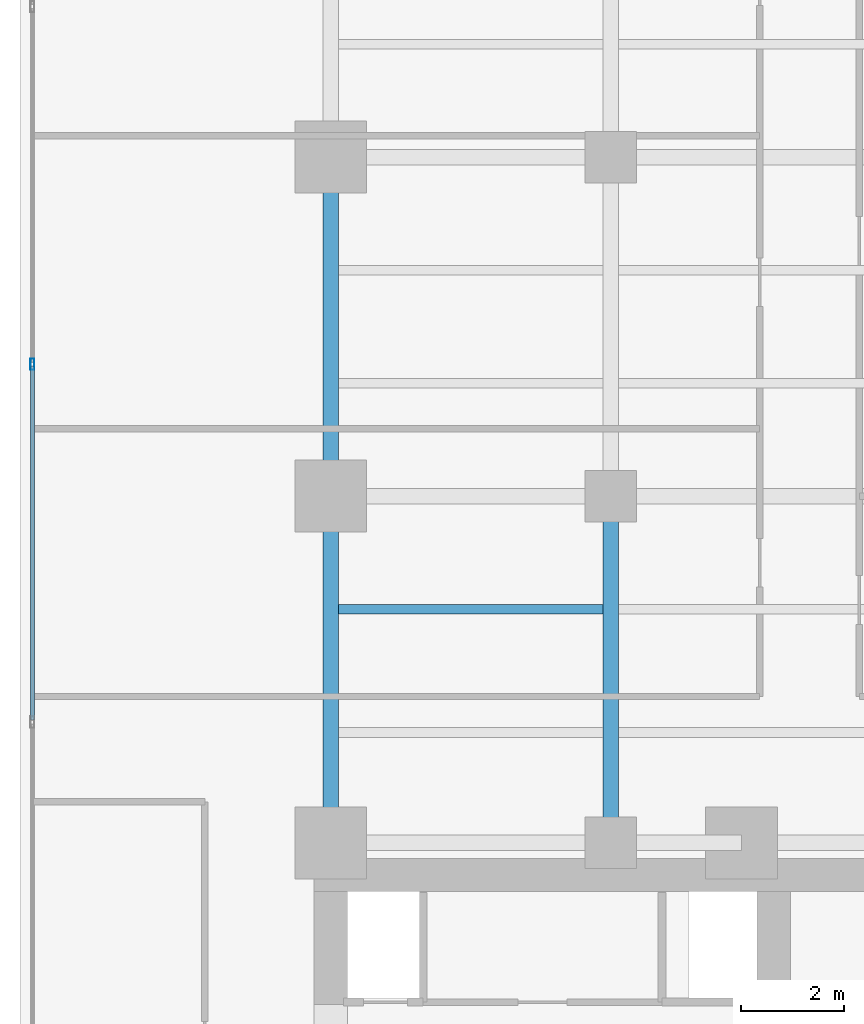
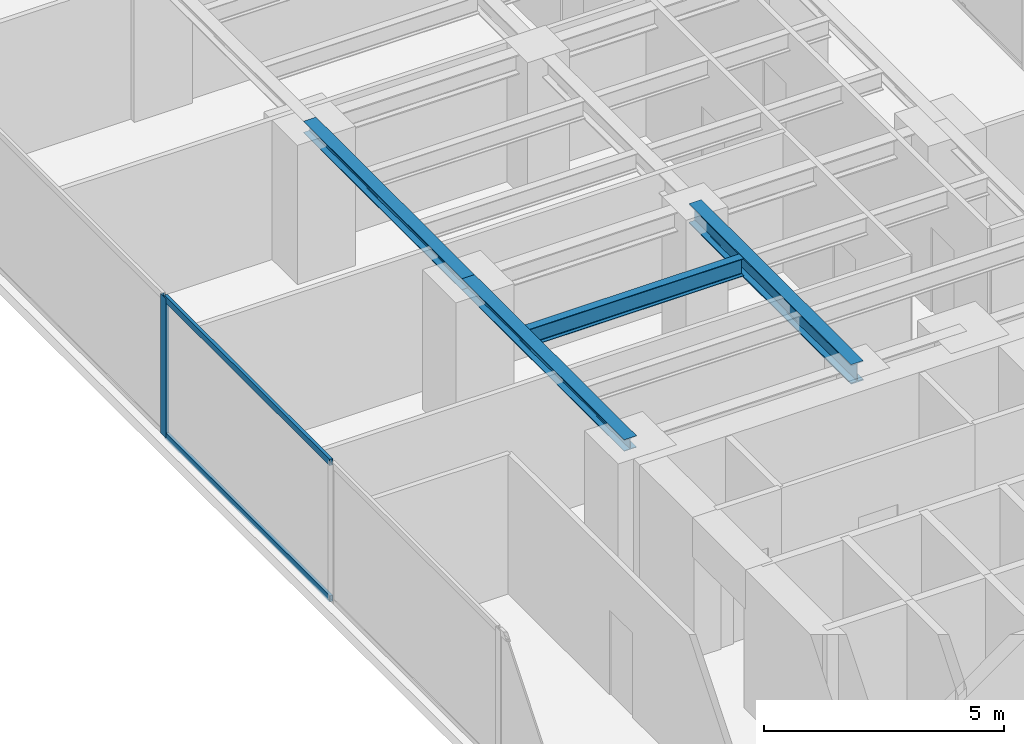
# One storey, part 7 of 24: 4 beams, 3 members, 1 element without a shape of its own.
"""IFC4 building model written with IfcOpenShell, lengths in metres."""

from ifc_helpers import new_model, si_unit, direction, frame, origin, origin_with_axes, origin_2d, place, context, subcontext, project, spatial, hollow_rectangle, i_section, extrude, source, transform, mapped, material, layer, layer_set, material_profile, profile_set, type_object, element, aggregate, save


model = new_model("IFC4")

# Units and contexts
model_context = context("Model", 3, precision=1e-05, world=origin(), true_north=direction((0.0, 1.0)))
body_context = subcontext(model_context, "Body", "Model", "MODEL_VIEW")
ifc_project = project(units=[si_unit("LENGTHUNIT", "METRE"), si_unit("AREAUNIT", "SQUARE_METRE"), si_unit("VOLUMEUNIT", "CUBIC_METRE"), si_unit("PLANEANGLEUNIT", "RADIAN"), si_unit("MASSUNIT", "GRAM", prefix="KILO")], contexts=[model_context])

# Site, building, storey
site_placement = place(None, origin())
site = spatial("IfcSite", under=ifc_project, at=site_placement, CompositionType="ELEMENT")
building_placement = place(site_placement, origin())
building = spatial("IfcBuilding", under=site, at=building_placement, Name="Kolvaren Waterfront Exchange", CompositionType="ELEMENT")
storey_placement = place(building_placement, frame((0.0, 0.0, 91.699951171875)))
storey = spatial("IfcBuildingStorey", under=building, at=storey_placement, Name="L23", CompositionType="ELEMENT", Elevation=91.699951171875)

# Beams
ifc_material_1 = material(Name="Steel S355", Category="steel")
ifc_material_profile_1 = material_profile(ifc_material_1, i_section(OverallWidth=0.300048828125, OverallDepth=0.300048828125, WebThickness=0.010986328125, FlangeThickness=0.01904296875, FilletRadius=0.027099609375, at=origin_2d()), Name="HEB300")
ifc_profile_set_1 = profile_set([ifc_material_profile_1], Name="Steel S355")
beam_type_1 = type_object("IfcBeamType", Name="STR-BM-HEB300", PredefinedType="SPANDREL", material=ifc_profile_set_1)
beam_1_placement = place(storey_placement, frame((7.449951171875, 24.449951171875, 3.39013671875), z_axis=(0.0, 1.0, 0.0), x_axis=(-1.0, 0.0, 0.0)))
element("IfcBeam", 1, at=beam_1_placement, inside=storey, type_object=beam_type_1, Name="L23 north-arm edge beam 1", PredefinedType="SPANDREL", context=body_context, shape_type="SweptSolid", body=[
    extrude(i_section(OverallWidth=0.300048828125, OverallDepth=0.300048828125, WebThickness=0.010986328125, FlangeThickness=0.01904296875, FilletRadius=0.027099609375, at=origin_2d()), origin(), (0.0, 0.0, 1.0), 6.75),
])
beam_2_placement = place(storey_placement, frame((7.449951171875, 31.199951171875, 3.39013671875), z_axis=(0.0, 1.0, 0.0), x_axis=(-1.0, 0.0, 0.0)))
element("IfcBeam", 2, at=beam_2_placement, inside=storey, type_object=beam_type_1, Name="L23 north-arm edge beam 2", PredefinedType="SPANDREL", context=body_context, shape_type="SweptSolid", body=[
    extrude(i_section(OverallWidth=0.300048828125, OverallDepth=0.300048828125, WebThickness=0.010986328125, FlangeThickness=0.01904296875, FilletRadius=0.027099609375, at=origin_2d()), origin(), (0.0, 0.0, 1.0), 6.60009765625),
])
ifc_material_profile_2 = material_profile(ifc_material_1, i_section(OverallWidth=0.300048828125, OverallDepth=0.5, WebThickness=0.014404296875, FlangeThickness=0.028076171875, FilletRadius=0.027099609375, at=origin_2d()), Name="HEB500")
ifc_profile_set_2 = profile_set([ifc_material_profile_2], Name="Steel S355")
beam_type_2 = type_object("IfcBeamType", Name="STR-BM-HEB500", PredefinedType="BEAM", material=ifc_profile_set_2)
beam_3_placement = place(storey_placement, frame((12.89990234375, 24.449951171875, 3.2900390625), z_axis=(0.0, 1.0, 0.0), x_axis=(-1.0, 0.0, 0.0)))
element("IfcBeam", 3, at=beam_3_placement, inside=storey, type_object=beam_type_2, Name="L23 north-arm edge beam 1", PredefinedType="BEAM", context=body_context, shape_type="SweptSolid", body=[
    extrude(i_section(OverallWidth=0.300048828125, OverallDepth=0.5, WebThickness=0.014404296875, FlangeThickness=0.028076171875, FilletRadius=0.027099609375, at=origin_2d()), origin(), (0.0, 0.0, 1.0), 6.75),
])
ifc_material_profile_3 = material_profile(ifc_material_1, i_section(OverallWidth=0.18994140625, OverallDepth=0.449951171875, WebThickness=0.009521484375, FlangeThickness=0.0146484375, FilletRadius=0.02099609375, at=origin_2d()), Name="IPE450")
ifc_profile_set_3 = profile_set([ifc_material_profile_3], Name="Steel S355")
beam_type_3 = type_object("IfcBeamType", Name="STR-BM-IPE450", PredefinedType="JOIST", material=ifc_profile_set_3)
beam_4_placement = place(storey_placement, frame((7.60205078125, 29.0, 3.31494140625), z_axis=(1.0, 0.0, 0.0), x_axis=(0.0, 1.0, 0.0)))
element("IfcBeam", 4, at=beam_4_placement, inside=storey, type_object=beam_type_3, Name="L23 north-arm composite joist 2A", PredefinedType="JOIST", context=body_context, shape_type="SweptSolid", body=[
    extrude(i_section(OverallWidth=0.18994140625, OverallDepth=0.449951171875, WebThickness=0.009521484375, FlangeThickness=0.0146484375, FilletRadius=0.02099609375, at=origin_2d()), origin(), (0.0, 0.0, 1.0), 5.14599609375),
])

# Curtain wall, members
ifc_material_2 = material(Name="Anodised aluminium 6063-T6", Category="aluminium")
ifc_layer = layer(ifc_material_2, 0.219970703125, Name="Anodised aluminium 6063-T6")
ifc_layer_set = layer_set([ifc_layer], Name="Anodised aluminium 6063-T6")
curtain_wall_type = type_object("IfcCurtainWallType", Name="ARC-CW-SYS2", PredefinedType="USERDEFINED", material=ifc_layer_set)
curtain_wall_placement = place(storey_placement, origin())
curtain_wall = element("IfcCurtainWall", 5, at=curtain_wall_placement, inside=storey, type_object=curtain_wall_type, Name="L23 stick curtain wall CW2 (CW-L23-W)", ObjectType="STICK CURTAIN WALL", PredefinedType="USERDEFINED")
ifc_material_profile_4 = material_profile(ifc_material_2, hollow_rectangle(XDim=0.080078125, YDim=0.219970703125, WallThickness=0.0048828125, at=origin_2d()), Name="ALU-MUL-220x80x5")
ifc_profile_set_4 = profile_set([ifc_material_profile_4], Name="Anodised aluminium 6063-T6")
member_type_1 = type_object("IfcMemberType", Name="ARC-CWM-220", PredefinedType="MULLION", material=ifc_profile_set_4)
shared_shape_1 = source(origin_with_axes(), body_context, "Body", "SweptSolid", [
    extrude(hollow_rectangle(XDim=0.080078125, YDim=0.219970703125, WallThickness=0.0048828125, at=origin_2d()), origin(), (0.0, 0.0, 1.0), 3.5400390625),
])
member_1_placement = place(storey_placement, frame((1.639892578125, 33.7666015625, 0.0), z_axis=(0.0, 0.0, 1.0), x_axis=(-1.0, 0.0, 0.0)))
member_1 = element("IfcMember", 6, at=member_1_placement, type_object=member_type_1, Name="CW2 mullion 5", PredefinedType="MULLION", context=body_context, shape_type="MappedRepresentation", body=[
    mapped(shared_shape_1, transform((0.0, 0.0, 0.0), x_axis=(1.0, 0.0, 0.0), y_axis=(0.0, 1.0, 0.0), z_axis=(0.0, 0.0, 1.0), scale=1.0)),
])
ifc_material_profile_5 = material_profile(ifc_material_2, hollow_rectangle(XDim=0.074951171875, YDim=0.159912109375, WallThickness=0.00439453125, at=origin_2d()), Name="ALU-TRN-160x75x4.5")
ifc_profile_set_5 = profile_set([ifc_material_profile_5], Name="Anodised aluminium 6063-T6")
member_type_2 = type_object("IfcMemberType", Name="ARC-CWT-160", PredefinedType="USERDEFINED", material=ifc_profile_set_5)
shared_shape_2 = source(origin_with_axes(), body_context, "Body", "SweptSolid", [
    extrude(hollow_rectangle(XDim=0.074951171875, YDim=0.159912109375, WallThickness=0.00439453125, at=origin_2d()), origin(), (0.0, 0.0, 1.0), 6.886474609375),
])
member_2_placement = place(storey_placement, frame((1.639892578125, 26.840087890625, 0.03759765625), z_axis=(0.0, 1.0, 0.0), x_axis=(-1.0, 0.0, 0.0)))
member_2 = element("IfcMember", 7, at=member_2_placement, type_object=member_type_2, Name="CW2 transom 4.1", ObjectType="TRANSOM", PredefinedType="USERDEFINED", context=body_context, shape_type="MappedRepresentation", body=[
    mapped(shared_shape_2, transform((0.0, 0.0, 0.0), x_axis=(1.0, 0.0, 0.0), y_axis=(0.0, 1.0, 0.0), z_axis=(0.0, 0.0, 1.0), scale=1.0)),
])
member_3_placement = place(storey_placement, frame((1.639892578125, 26.840087890625, 3.50244140625), z_axis=(0.0, 1.0, 0.0), x_axis=(-1.0, 0.0, 0.0)))
member_3 = element("IfcMember", 8, at=member_3_placement, type_object=member_type_2, Name="CW2 transom 4.2", ObjectType="TRANSOM", PredefinedType="USERDEFINED", context=body_context, shape_type="MappedRepresentation", body=[
    mapped(shared_shape_2, transform((0.0, 0.0, 0.0), x_axis=(1.0, 0.0, 0.0), y_axis=(0.0, 1.0, 0.0), z_axis=(0.0, 0.0, 1.0), scale=1.0)),
])
aggregate(curtain_wall, [member_1, member_2, member_3])

save(model, "model.ifc")
